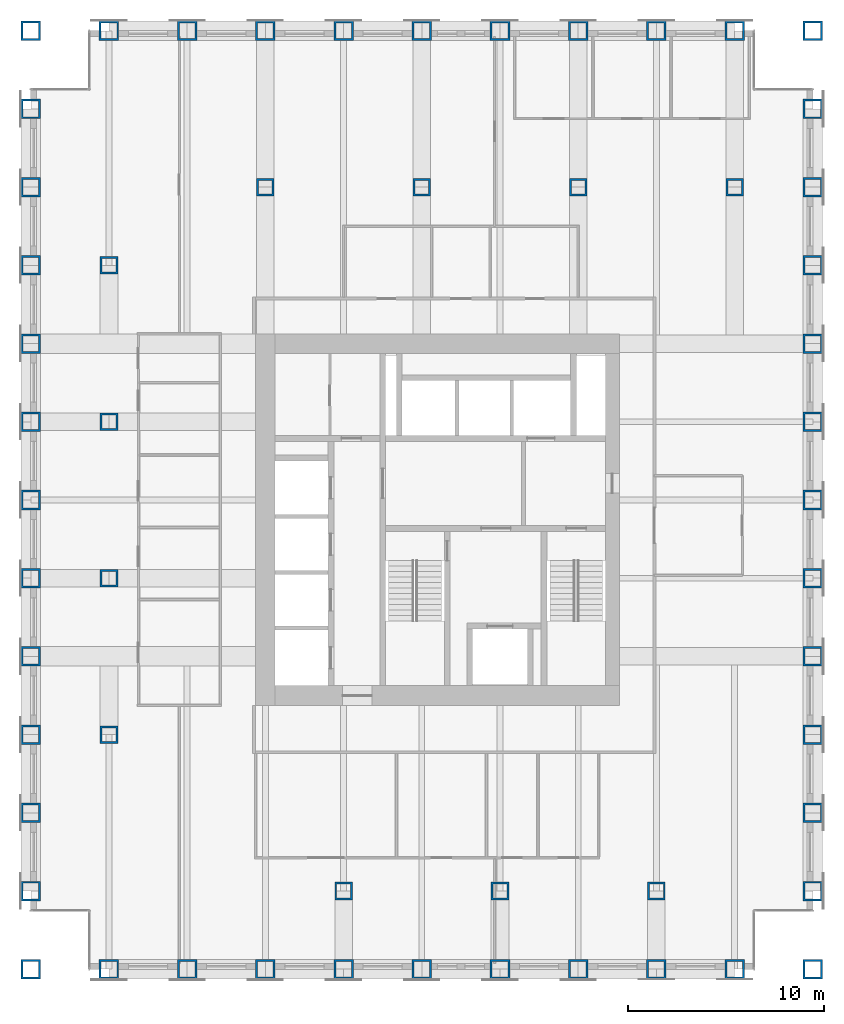
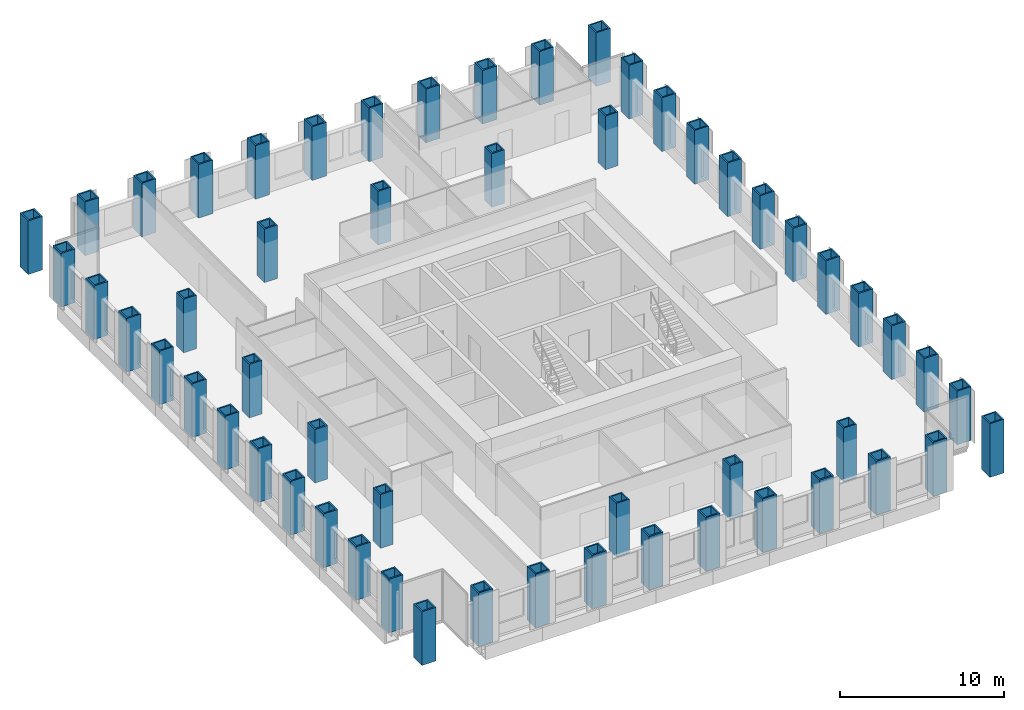
# One storey, part 1 of 12: 55 columns.
"""IFC4 building model written with IfcOpenShell, lengths in metres."""

from ifc_helpers import new_model, si_unit, direction, frame, origin, origin_2d, place, context, subcontext, project, spatial, hollow_rectangle, extrude, material, material_profile, profile_set, type_object, element, save


model = new_model("IFC4")

# Units and contexts
model_context = context("Model", 3, precision=1e-05, world=origin(), true_north=direction((0.0, 1.0)))
body_context = subcontext(model_context, "Body", "Model", "MODEL_VIEW")
ifc_project = project(units=[si_unit("LENGTHUNIT", "METRE"), si_unit("AREAUNIT", "SQUARE_METRE"), si_unit("VOLUMEUNIT", "CUBIC_METRE"), si_unit("PLANEANGLEUNIT", "RADIAN"), si_unit("MASSUNIT", "GRAM", prefix="KILO")], contexts=[model_context])

# Site, building, storey
site_placement = place(None, origin())
site = spatial("IfcSite", under=ifc_project, at=site_placement, CompositionType="ELEMENT")
building_placement = place(site_placement, origin())
building = spatial("IfcBuilding", under=site, at=building_placement, Name="Rimbunsela Tower", CompositionType="ELEMENT")
storey_placement = place(building_placement, frame((0.0, 0.0, 163.800048828125)))
storey = spatial("IfcBuildingStorey", under=building, at=storey_placement, Name="L39", CompositionType="ELEMENT", Elevation=163.800048828125)

# Columns
ifc_material_1 = material(Name="Steel BJ 55 (fy 410 MPa)", Category="steel")
ifc_material_profile_1 = material_profile(ifc_material_1, hollow_rectangle(XDim=1.0, YDim=1.0, WallThickness=0.10009765625, at=origin_2d()), Name="BOX 1000x1000x100")
ifc_profile_set_1 = profile_set([ifc_material_profile_1], Name="Steel BJ 55 (fy 410 MPa)")
column_type_1 = type_object("IfcColumnType", Name="Column BOX 1000x1000x100", PredefinedType="COLUMN", material=ifc_profile_set_1)
for number, where, z_axis, x_axis, name in (
    (1, (6.0, 4.0, 0.0), (0.0, 0.0, 1.0), (1.0, 0.0, 0.0), "Column C1 4/C L39"),
    (2, (6.0, 8.0, 0.0), (0.0, 0.0, 1.0), (1.0, 0.0, 0.0), "Column C1 4/D L39"),
    (3, (6.0, 12.0, 0.0), (0.0, 0.0, 1.0), (1.0, 0.0, 0.0), "Column C1 4/E L39"),
    (4, (6.0, 16.0, 0.0), (0.0, 0.0, 1.0), (1.0, 0.0, 0.0), "Column C1 4/F L39"),
    (5, (6.0, 20.0, 0.0), (0.0, 0.0, 1.0), (1.0, 0.0, 0.0), "Column C1 4/G L39"),
    (6, (6.0, 24.0, 0.0), (0.0, 0.0, 1.0), (1.0, 0.0, 0.0), "Column C1 4/H L39"),
    (7, (6.0, 28.0, 0.0), (0.0, 0.0, 1.0), (1.0, 0.0, 0.0), "Column C1 4/J L39"),
    (8, (6.0, 32.0, 0.0), (0.0, 0.0, 1.0), (1.0, 0.0, 0.0), "Column C1 4/K L39"),
    (9, (6.0, 36.0, 0.0), (0.0, 0.0, 1.0), (1.0, 0.0, 0.0), "Column C1 4/L L39"),
    (10, (6.0, 40.0, 0.0), (0.0, 0.0, 1.0), (1.0, 0.0, 0.0), "Column C1 4/M L39"),
    (11, (6.0, 44.0, 0.0), (0.0, 0.0, 1.0), (1.0, 0.0, 0.0), "Column C1 4/N L39"),
    (12, (6.0, 48.0, 0.0), (0.0, 0.0, 1.0), (1.0, 0.0, 0.0), "Column C1 4/P L39"),
    (13, (6.0, 52.0, 0.0), (0.0, 0.0, 1.0), (1.0, 0.0, 0.0), "Column C1 4/Q L39"),
    (14, (10.0, 4.0, 0.0), (0.0, 0.0, 1.0), (1.0, 0.0, 0.0), "Column C1 5/C L39"),
    (15, (10.0, 52.0, 0.0), (0.0, 0.0, 1.0), (1.0, 0.0, 0.0), "Column C1 5/Q L39"),
    (16, (14.0, 4.0, 0.0), (0.0, 0.0, 1.0), (1.0, 0.0, 0.0), "Column C1 6/C L39"),
    (17, (14.0, 52.0, 0.0), (0.0, 0.0, 1.0), (1.0, 0.0, 0.0), "Column C1 6/Q L39"),
    (18, (18.0, 4.0, 0.0), (0.0, 0.0, 1.0), (1.0, 0.0, 0.0), "Column C1 7/C L39"),
    (19, (18.0, 52.0, 0.0), (0.0, 0.0, 1.0), (1.0, 0.0, 0.0), "Column C1 7/Q L39"),
    (20, (22.0, 4.0, 0.0), (0.0, 0.0, 1.0), (1.0, 0.0, 0.0), "Column C1 8/C L39"),
    (21, (22.0, 52.0, 0.0), (0.0, 0.0, 1.0), (1.0, 0.0, 0.0), "Column C1 8/Q L39"),
    (22, (26.0, 4.0, 0.0), (0.0, 0.0, 1.0), (1.0, 0.0, 0.0), "Column C1 9/C L39"),
    (23, (26.0, 52.0, 0.0), (0.0, 0.0, 1.0), (1.0, 0.0, 0.0), "Column C1 9/Q L39"),
    (24, (30.0, 4.0, 0.0), (0.0, 0.0, 1.0), (1.0, 0.0, 0.0), "Column C1 10/C L39"),
    (25, (30.0, 52.0, 0.0), (0.0, 0.0, 1.0), (1.0, 0.0, 0.0), "Column C1 10/Q L39"),
    (26, (34.0, 4.0, 0.0), (0.0, 0.0, 1.0), (1.0, 0.0, 0.0), "Column C1 11/C L39"),
    (27, (34.0, 52.0, 0.0), (0.0, 0.0, 1.0), (1.0, 0.0, 0.0), "Column C1 11/Q L39"),
    (28, (38.0, 4.0, 0.0), (0.0, 0.0, 1.0), (1.0, 0.0, 0.0), "Column C1 12/C L39"),
    (29, (38.0, 52.0, 0.0), (0.0, 0.0, 1.0), (1.0, 0.0, 0.0), "Column C1 12/Q L39"),
    (30, (42.0, 4.0, 0.0), (0.0, 0.0, 1.0), (1.0, 0.0, 0.0), "Column C1 13/C L39"),
    (31, (42.0, 52.0, 0.0), (0.0, 0.0, 1.0), (1.0, 0.0, 0.0), "Column C1 13/Q L39"),
    (32, (46.0, 4.0, 0.0), (0.0, 0.0, 1.0), (1.0, 0.0, 0.0), "Column C1 14/C L39"),
    (33, (46.0, 8.0, 0.0), (0.0, 0.0, 1.0), (1.0, 0.0, 0.0), "Column C1 14/D L39"),
    (34, (46.0, 12.0, 0.0), (0.0, 0.0, 1.0), (1.0, 0.0, 0.0), "Column C1 14/E L39"),
    (35, (46.0, 16.0, 0.0), (0.0, 0.0, 1.0), (1.0, 0.0, 0.0), "Column C1 14/F L39"),
    (36, (46.0, 20.0, 0.0), (0.0, 0.0, 1.0), (1.0, 0.0, 0.0), "Column C1 14/G L39"),
    (37, (46.0, 24.0, 0.0), (0.0, 0.0, 1.0), (1.0, 0.0, 0.0), "Column C1 14/H L39"),
    (38, (46.0, 28.0, 0.0), (0.0, 0.0, 1.0), (1.0, 0.0, 0.0), "Column C1 14/J L39"),
    (39, (46.0, 32.0, 0.0), (0.0, 0.0, 1.0), (1.0, 0.0, 0.0), "Column C1 14/K L39"),
    (40, (46.0, 36.0, 0.0), (0.0, 0.0, 1.0), (1.0, 0.0, 0.0), "Column C1 14/L L39"),
    (41, (46.0, 40.0, 0.0), (0.0, 0.0, 1.0), (1.0, 0.0, 0.0), "Column C1 14/M L39"),
    (42, (46.0, 44.0, 0.0), (0.0, 0.0, 1.0), (1.0, 0.0, 0.0), "Column C1 14/N L39"),
    (43, (46.0, 48.0, 0.0), (0.0, 0.0, 1.0), (1.0, 0.0, 0.0), "Column C1 14/P L39"),
    (44, (46.0, 52.0, 0.0), (0.0, 0.0, 1.0), (1.0, 0.0, 0.0), "Column C1 14/Q L39"),
):
    element("IfcColumn", number, at=place(storey_placement, frame(where, z_axis=z_axis, x_axis=x_axis)), inside=storey, type_object=column_type_1, Name=name, PredefinedType="COLUMN", context=body_context, shape_type="SweptSolid", body=[
        extrude(hollow_rectangle(XDim=1.0, YDim=1.0, WallThickness=0.10009765625, at=origin_2d()), origin(), (0.0, 0.0, 1.0), 4.0),
    ])
ifc_material_2 = material(Name="Steel BJ 55 (fy 410 MPa)", Category="steel")
ifc_material_profile_2 = material_profile(ifc_material_2, hollow_rectangle(XDim=0.89990234375, YDim=0.89990234375, WallThickness=0.10009765625, at=origin_2d()), Name="BOX 900x900x100")
ifc_profile_set_2 = profile_set([ifc_material_profile_2], Name="Steel BJ 55 (fy 410 MPa)")
column_type_2 = type_object("IfcColumnType", Name="Column BOX 900x900x100", PredefinedType="COLUMN", material=ifc_profile_set_2)
for number, where, z_axis, x_axis, name in (
    (45, (10.0, 16.0, 0.0), (0.0, 0.0, 1.0), (1.0, 0.0, 0.0), "Column C5 5/F L39"),
    (46, (10.0, 24.0, 0.0), (0.0, 0.0, 1.0), (1.0, 0.0, 0.0), "Column C5 5/H L39"),
    (47, (10.0, 32.0, 0.0), (0.0, 0.0, 1.0), (1.0, 0.0, 0.0), "Column C5 5/K L39"),
    (48, (10.0, 40.0, 0.0), (0.0, 0.0, 1.0), (1.0, 0.0, 0.0), "Column C5 5/M L39"),
    (49, (18.0, 44.0, 0.0), (0.0, 0.0, 1.0), (1.0, 0.0, 0.0), "Column C5 7/N L39"),
    (50, (22.0, 8.0, 0.0), (0.0, 0.0, 1.0), (1.0, 0.0, 0.0), "Column C5 8/D L39"),
    (51, (26.0, 44.0, 0.0), (0.0, 0.0, 1.0), (1.0, 0.0, 0.0), "Column C5 9/N L39"),
    (52, (30.0, 8.0, 0.0), (0.0, 0.0, 1.0), (1.0, 0.0, 0.0), "Column C5 10/D L39"),
    (53, (34.0, 44.0, 0.0), (0.0, 0.0, 1.0), (1.0, 0.0, 0.0), "Column C5 11/N L39"),
    (54, (38.0, 8.0, 0.0), (0.0, 0.0, 1.0), (1.0, 0.0, 0.0), "Column C5 12/D L39"),
    (55, (42.0, 44.0, 0.0), (0.0, 0.0, 1.0), (1.0, 0.0, 0.0), "Column C5 13/N L39"),
):
    element("IfcColumn", number, at=place(storey_placement, frame(where, z_axis=z_axis, x_axis=x_axis)), inside=storey, type_object=column_type_2, Name=name, PredefinedType="COLUMN", context=body_context, shape_type="SweptSolid", body=[
        extrude(hollow_rectangle(XDim=0.89990234375, YDim=0.89990234375, WallThickness=0.10009765625, at=origin_2d()), origin(), (0.0, 0.0, 1.0), 4.0),
    ])

save(model, "model.ifc")
